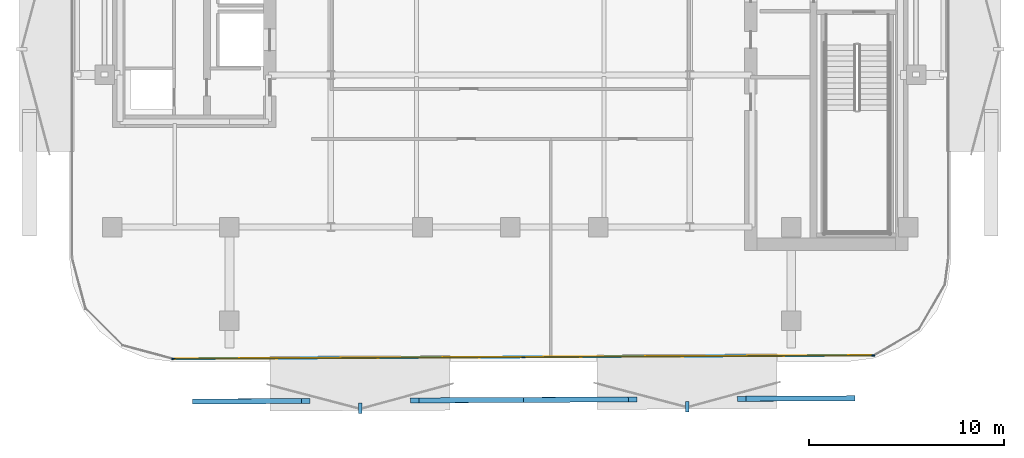
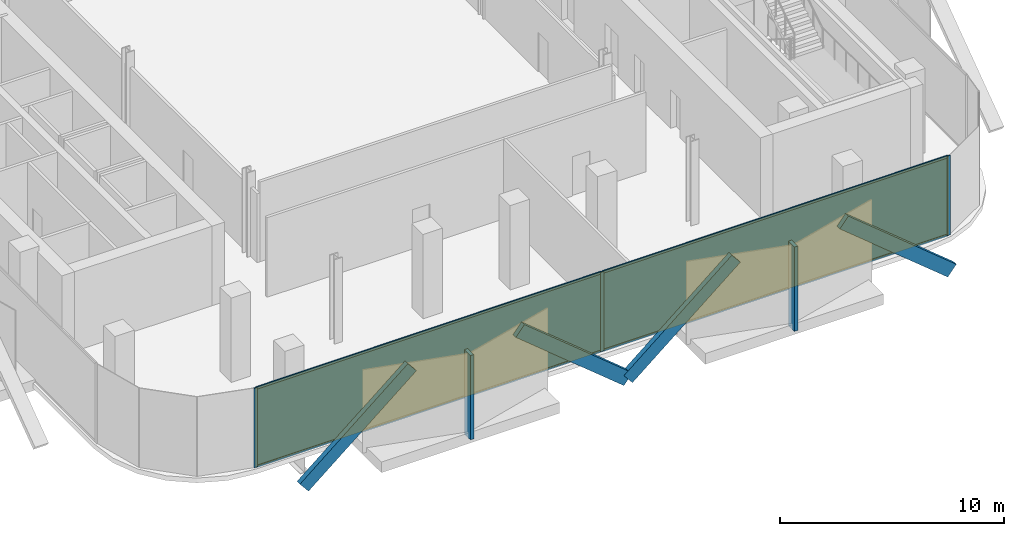
# One storey, part 6 of 14: 13 members, 2 plates, 1 curtain wall.
"""IFC4 building model written with IfcOpenShell, lengths in metres."""

from ifc_helpers import new_model, si_unit, direction, frame, frame_2d, origin, origin_2d, place, context, subcontext, project, spatial, rectangle, extrude, material, layer, layer_set, material_profile, profile_set, type_object, element, aggregate, save


model = new_model("IFC4")

# Units and contexts
model_context = context("Model", 3, precision=1e-05, world=origin(), true_north=direction((0.0, 1.0)))
body_context = subcontext(model_context, "Body", "Model", "MODEL_VIEW")
ifc_project = project(units=[si_unit("LENGTHUNIT", "METRE"), si_unit("AREAUNIT", "SQUARE_METRE"), si_unit("VOLUMEUNIT", "CUBIC_METRE"), si_unit("PLANEANGLEUNIT", "RADIAN"), si_unit("MASSUNIT", "GRAM", prefix="KILO")], contexts=[model_context])

# Member
ifc_material_1 = material(Name="Anodised Bronze Aluminium 6063-T6", Category="aluminium")
ifc_material_profile_1 = material_profile(ifc_material_1, rectangle(XDim=0.260009765625, YDim=0.699951171875, at=origin_2d()))
ifc_profile_set_1 = profile_set([ifc_material_profile_1], Name="Anodised Bronze Aluminium 6063-T6")
member_type_1 = type_object("IfcMemberType", Name="Bronze Diamond Solar-Screen Lattice Rib BDL-700", PredefinedType="MULLION", material=ifc_profile_set_1)
site_placement = place(None, origin())
building_placement = place(site_placement, origin())
storey_placement = place(building_placement, frame((0.0, 0.0, 160.39990234375)))
member_1_placement = place(storey_placement, frame((17.446044921875, -27.37890625, -0.1298828125), z_axis=(-0.772025883784, -0.003811723899, 0.635579661041), x_axis=(-0.008043159467, 0.999960535773, -0.003772861171)))
member_1 = element("IfcMember", 1, at=member_1_placement, type_object=member_type_1, Name="L36 Bronze Diamond Solar Screen Lattice Rib 225A", PredefinedType="MULLION", context=body_context, shape_type="SweptSolid", body=[
    extrude(rectangle(XDim=0.260009765625, YDim=0.699951171875, at=origin_2d()), origin(), (0.0, 0.0, 1.0), 7.237548828125),
])

member_2_placement = place(storey_placement, frame((0.68310546875, -27.46142578125, -0.1298828125), z_axis=(0.772025883784, 0.003811723899, 0.635579661041), x_axis=(0.008043159467, -0.999960535773, -0.003772861171)))
member_2 = element("IfcMember", 2, at=member_2_placement, type_object=member_type_1, Name="L36 Bronze Diamond Solar Screen Lattice Rib 225B", PredefinedType="MULLION", context=body_context, shape_type="SweptSolid", body=[
    extrude(rectangle(XDim=0.260009765625, YDim=0.699951171875, at=origin_2d()), origin(), (0.0, 0.0, 1.0), 7.237548828125),
])

member_3_placement = place(storey_placement, frame((0.68310546875, -27.46142578125, -0.1298828125), z_axis=(-0.772039510199, -0.003811624635, 0.635563109541), x_axis=(-0.00804286288, 0.999960537908, -0.003772927758)))
member_3 = element("IfcMember", 3, at=member_3_placement, type_object=member_type_1, Name="L36 Bronze Diamond Solar Screen Lattice Rib 226A", PredefinedType="MULLION", context=body_context, shape_type="SweptSolid", body=[
    extrude(rectangle(XDim=0.260009765625, YDim=0.699951171875, at=origin_2d()), origin(), (0.0, 0.0, 1.0), 7.23779296875),
])

member_4_placement = place(storey_placement, frame((-16.080078125, -27.544189453125, -0.1298828125), z_axis=(0.772025883784, 0.003811723899, 0.635579661041), x_axis=(0.008043159467, -0.999960535773, -0.003772861171)))
member_4 = element("IfcMember", 4, at=member_4_placement, type_object=member_type_1, Name="L36 Bronze Diamond Solar Screen Lattice Rib 226B", PredefinedType="MULLION", context=body_context, shape_type="SweptSolid", body=[
    extrude(rectangle(XDim=0.260009765625, YDim=0.699951171875, at=origin_2d()), origin(), (0.0, 0.0, 1.0), 7.237548828125),
])

ifc_material_2 = material(Name="Anodised Bronze Aluminium 6063-T6", Category="aluminium")
ifc_material_profile_2 = material_profile(ifc_material_2, rectangle(XDim=0.179931640625, YDim=0.5400390625, at=origin_2d()))
ifc_profile_set_2 = profile_set([ifc_material_profile_2], Name="Anodised Bronze Aluminium 6063-T6")
member_type_2 = type_object("IfcMemberType", Name="Bronze Solar-Screen Vertical Fold Fin BSF-540", PredefinedType="MULLION", material=ifc_profile_set_2)
member_5_placement = place(storey_placement, frame((9.06640625, -27.810302734375, -0.1298828125), z_axis=(0.0, 0.0, 1.0), x_axis=(-0.999988059021, -0.004886902454, 0.0)))
member_5 = element("IfcMember", 5, at=member_5_placement, type_object=member_type_2, Name="L36 Bronze Solar Screen Vertical Fin 225", PredefinedType="MULLION", context=body_context, shape_type="SweptSolid", body=[
    extrude(rectangle(XDim=0.179931640625, YDim=0.5400390625, at=origin_2d()), origin(), (0.0, 0.0, 1.0), 4.60009765625),
])

member_6_placement = place(storey_placement, frame((-7.696533203125, -27.892822265625, -0.1298828125), z_axis=(0.0, 0.0, 1.0), x_axis=(-0.999988059021, -0.004886902454, 0.0)))
member_6 = element("IfcMember", 6, at=member_6_placement, type_object=member_type_2, Name="L36 Bronze Solar Screen Vertical Fin 226", PredefinedType="MULLION", context=body_context, shape_type="SweptSolid", body=[
    extrude(rectangle(XDim=0.179931640625, YDim=0.5400390625, at=origin_2d()), origin(), (0.0, 0.0, 1.0), 4.60009765625),
])

ifc_material_3 = material(Name="Anodised Bronze Aluminium 6063-T6", Category="aluminium")
ifc_material_profile_3 = material_profile(ifc_material_3, rectangle(XDim=0.06005859375, YDim=0.1650390625, at=origin_2d()))
ifc_profile_set_3 = profile_set([ifc_material_profile_3], Name="Anodised Bronze Aluminium 6063-T6")
member_type_3 = type_object("IfcMemberType", Name="CW-Z3 Mullion 60x165", PredefinedType="MULLION", material=ifc_profile_set_3)
member_7_placement = place(storey_placement, frame((18.605224609375, -25.18310546875, 0.0), z_axis=(0.0, 0.0, 1.0), x_axis=(0.004926734175, -0.999987863572, 0.0)))
member_7 = element("IfcMember", 7, at=member_7_placement, type_object=member_type_3, Name="CW-Z3 mullion 1", PredefinedType="MULLION", context=body_context, shape_type="SweptSolid", body=[
    extrude(rectangle(XDim=0.06005859375, YDim=0.1650390625, at=origin_2d()), origin(), (0.0, 0.0, 1.0), 4.340087890625),
])

member_8_placement = place(storey_placement, frame((0.672119140625, -25.271484375, 0.0), z_axis=(0.0, 0.0, 1.0), x_axis=(0.004926734175, -0.999987863572, 0.0)))
member_8 = element("IfcMember", 8, at=member_8_placement, type_object=member_type_3, Name="CW-Z3 mullion 2", PredefinedType="MULLION", context=body_context, shape_type="SweptSolid", body=[
    extrude(rectangle(XDim=0.06005859375, YDim=0.1650390625, at=origin_2d()), origin(), (0.0, 0.0, 1.0), 4.340087890625),
])

member_9_placement = place(storey_placement, frame((-17.2607421875, -25.35986328125, 0.0), z_axis=(0.0, 0.0, 1.0), x_axis=(0.004926734175, -0.999987863572, 0.0)))
member_9 = element("IfcMember", 9, at=member_9_placement, type_object=member_type_3, Name="CW-Z3 mullion 3", PredefinedType="MULLION", context=body_context, shape_type="SweptSolid", body=[
    extrude(rectangle(XDim=0.06005859375, YDim=0.1650390625, at=origin_2d()), origin(), (0.0, 0.0, 1.0), 4.340087890625),
])

ifc_material_4 = material(Name="Anodised Bronze Aluminium 6063-T6", Category="aluminium")
ifc_material_profile_4 = material_profile(ifc_material_4, rectangle(XDim=0.06005859375, YDim=0.1298828125, at=origin_2d()))
ifc_profile_set_4 = profile_set([ifc_material_profile_4], Name="Anodised Bronze Aluminium 6063-T6")
member_type_4 = type_object("IfcMemberType", Name="CW-Z3 Transom 60x130", PredefinedType="USERDEFINED", material=ifc_profile_set_4)
member_10_placement = place(storey_placement, frame((18.5751953125, -25.183349609375, 0.030029296875), z_axis=(-0.999987909339, -0.0049174359, 0.0), x_axis=(0.0049174359, -0.999987909339, 0.0)))
member_10 = element("IfcMember", 10, at=member_10_placement, type_object=member_type_4, Name="CW-Z3 transom 1.1", ObjectType="TRANSOM", PredefinedType="USERDEFINED", context=body_context, shape_type="SweptSolid", body=[
    extrude(rectangle(XDim=0.06005859375, YDim=0.1298828125, at=origin_2d()), origin(), (0.0, 0.0, 1.0), 17.873291015625),
])

member_11_placement = place(storey_placement, frame((18.5751953125, -25.183349609375, 4.31005859375), z_axis=(-0.999987909339, -0.0049174359, 0.0), x_axis=(0.0049174359, -0.999987909339, 0.0)))
member_11 = element("IfcMember", 11, at=member_11_placement, type_object=member_type_4, Name="CW-Z3 transom 1.2", ObjectType="TRANSOM", PredefinedType="USERDEFINED", context=body_context, shape_type="SweptSolid", body=[
    extrude(rectangle(XDim=0.06005859375, YDim=0.1298828125, at=origin_2d()), origin(), (0.0, 0.0, 1.0), 17.873291015625),
])

member_12_placement = place(storey_placement, frame((0.64208984375, -25.271728515625, 0.030029296875), z_axis=(-0.999987909009, -0.00491750307, 0.0), x_axis=(0.00491750307, -0.999987909009, 0.0)))
member_12 = element("IfcMember", 12, at=member_12_placement, type_object=member_type_4, Name="CW-Z3 transom 2.1", ObjectType="TRANSOM", PredefinedType="USERDEFINED", context=body_context, shape_type="SweptSolid", body=[
    extrude(rectangle(XDim=0.06005859375, YDim=0.1298828125, at=origin_2d()), origin(), (0.0, 0.0, 1.0), 17.873046875),
])

member_13_placement = place(storey_placement, frame((0.64208984375, -25.271728515625, 4.31005859375), z_axis=(-0.999987909009, -0.00491750307, 0.0), x_axis=(0.00491750307, -0.999987909009, 0.0)))
member_13 = element("IfcMember", 13, at=member_13_placement, type_object=member_type_4, Name="CW-Z3 transom 2.2", ObjectType="TRANSOM", PredefinedType="USERDEFINED", context=body_context, shape_type="SweptSolid", body=[
    extrude(rectangle(XDim=0.06005859375, YDim=0.1298828125, at=origin_2d()), origin(), (0.0, 0.0, 1.0), 17.873046875),
])

# Plate
ifc_material_5 = material(Name="Low-E Solar Control Laminated Glass", Category="glass")
ifc_layer_1 = layer(ifc_material_5, 0.030029296875, Name="Low-E Solar Control Laminated Glass")
ifc_layer_set_1 = layer_set([ifc_layer_1], Name="Low-E Solar Control Laminated Glass")
plate_type = type_object("IfcPlateType", Name="CW-Z3 Low-E Double Glazed Panel 30mm", PredefinedType="CURTAIN_PANEL", material=ifc_layer_set_1)
plate_1_placement = place(storey_placement, frame((9.638671875, -25.227294921875, 0.06005859375), z_axis=(0.0, 0.0, 1.0), x_axis=(-0.999987863572, -0.004926734175, 0.0)))
plate_1 = element("IfcPlate", 14, at=plate_1_placement, type_object=plate_type, Name="CW-Z3 panel 1.1", PredefinedType="CURTAIN_PANEL", context=body_context, shape_type="SweptSolid", body=[
    extrude(rectangle(XDim=17.873291015625, YDim=0.030029296875, at=origin_2d()), origin(), (0.0, 0.0, 1.0), 4.219970703125),
])

plate_2_placement = place(storey_placement, frame((-8.294189453125, -25.315673828125, 0.06005859375), z_axis=(0.0, 0.0, 1.0), x_axis=(-0.999987863572, -0.004926734175, 0.0)))
plate_2 = element("IfcPlate", 15, at=plate_2_placement, type_object=plate_type, Name="CW-Z3 panel 2.1", PredefinedType="CURTAIN_PANEL", context=body_context, shape_type="SweptSolid", body=[
    extrude(rectangle(XDim=17.873291015625, YDim=0.030029296875, at=origin_2d()), origin(), (0.0, 0.0, 1.0), 4.219970703125),
])

# Site, building, storey
site = spatial("IfcSite", under=ifc_project, at=site_placement, CompositionType="ELEMENT")
building = spatial("IfcBuilding", under=site, at=building_placement, Name="Khairoan Windgate Tower", CompositionType="ELEMENT")
storey = spatial("IfcBuildingStorey", under=building, at=storey_placement, Name="L36", CompositionType="ELEMENT", Elevation=160.39990234375)

# Curtain wall
ifc_material_6 = material(Name="Anodised Bronze Aluminium 6063-T6", Category="aluminium")
ifc_layer_2 = layer(ifc_material_6, 0.1650390625, Name="Anodised Bronze Aluminium 6063-T6")
ifc_layer_set_2 = layer_set([ifc_layer_2], Name="Anodised Bronze Aluminium 6063-T6")
curtain_wall_type = type_object("IfcCurtainWallType", Name="Luxury Hotel Acoustic Curtain Wall CW-Z3", PredefinedType="NOTDEFINED", material=ifc_layer_set_2)
curtain_wall_placement = place(storey_placement, frame((18.63525390625, -25.18310546875, 0.0), z_axis=(0.0, 0.0, 1.0), x_axis=(-0.999987863321, -0.004926785053, 0.0)))
curtain_wall = element("IfcCurtainWall", 16, at=curtain_wall_placement, inside=storey, type_object=curtain_wall_type, Name="L36 Unitised Curtain Wall 1", PredefinedType="NOTDEFINED", context=body_context, shape_type="SweptSolid", body=[
    extrude(rectangle(XDim=35.926513671875, YDim=0.010009765625, at=frame_2d((17.96337890625, 0.0))), origin(), (0.0, 0.0, 1.0), 4.340087890625),
])

aggregate(curtain_wall, [member_7, member_8, member_9, member_10, member_11, plate_1, member_12, member_13, plate_2, member_1, member_2, member_5, member_3, member_4, member_6])

save(model, "model.ifc")
